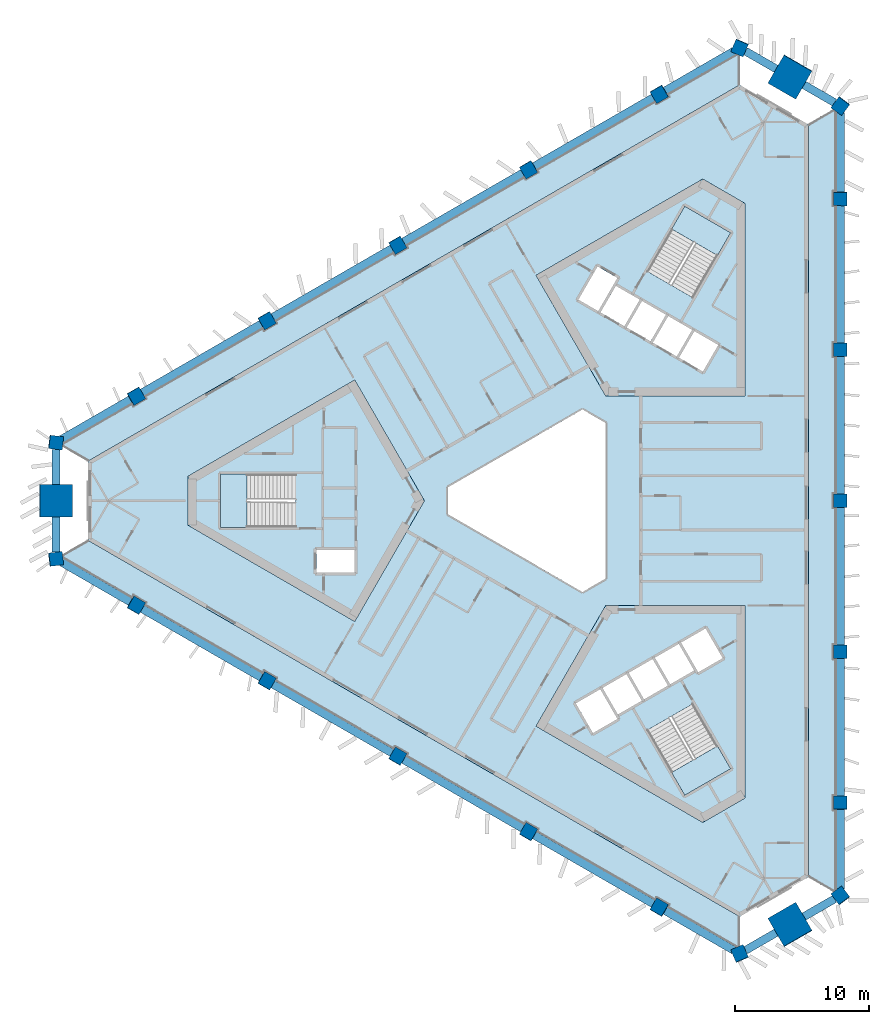
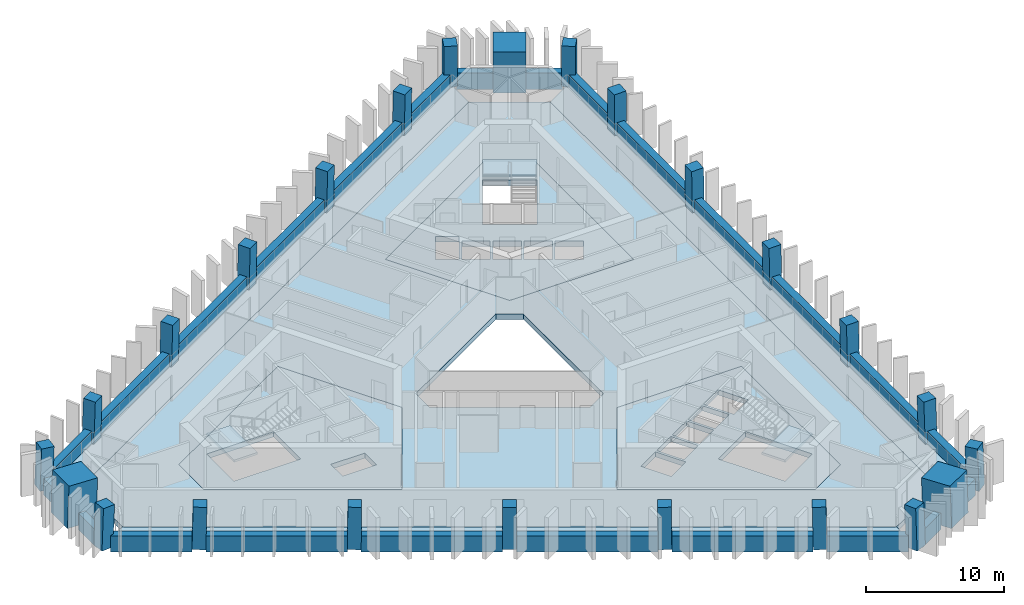
# One storey, part 1 of 11: 24 beams, 24 columns, 10 slabs, 3 elements without a shape of their own.
"""IFC4 building model written with IfcOpenShell, lengths in metres."""

from ifc_helpers import new_model, si_unit, direction, frame, origin, origin_2d, place, context, subcontext, project, spatial, polyline, rectangle, outline, extrude, material, layer, layer_set, material_profile, profile_set, type_object, element, aggregate, save


model = new_model("IFC4")

# Units and contexts
model_context = context("Model", 3, precision=1e-05, world=origin(), true_north=direction((0.0, 1.0)))
body_context = subcontext(model_context, "Body", "Model", "MODEL_VIEW")
ifc_project = project(units=[si_unit("LENGTHUNIT", "METRE"), si_unit("AREAUNIT", "SQUARE_METRE"), si_unit("VOLUMEUNIT", "CUBIC_METRE"), si_unit("PLANEANGLEUNIT", "RADIAN"), si_unit("MASSUNIT", "GRAM", prefix="KILO")], contexts=[model_context])

# Site, building, storey
site_placement = place(None, origin())
site = spatial("IfcSite", under=ifc_project, at=site_placement, CompositionType="ELEMENT")
building_placement = place(site_placement, origin())
building = spatial("IfcBuilding", under=site, at=building_placement, Name="Jabali Bay Hotel Tower and Convention Centre", CompositionType="ELEMENT")
storey_placement = place(building_placement, frame((0.0, 0.0, 132.699951171875)))
storey = spatial("IfcBuildingStorey", under=building, at=storey_placement, Name="L32", CompositionType="ELEMENT", Elevation=132.699951171875)

# Columns
ifc_material_1 = material(Name="Concrete C60", Category="concrete")
ifc_material_profile_1 = material_profile(ifc_material_1, rectangle(XDim=1.0, YDim=1.0, at=origin_2d()), Name="Frame column 1000")
ifc_profile_set_1 = profile_set([ifc_material_profile_1], Name="Concrete C60")
column_type_1 = type_object("IfcColumnType", Name="Frame column 1000", PredefinedType="COLUMN", material=ifc_profile_set_1)
column_1_placement = place(storey_placement, frame((83.48828125, 110.277099609375, 0.0), z_axis=(-0.008376454378, -0.028163354484, 0.999568237028), x_axis=(0.865846453702, 0.49985452246, 0.021339517038)))
element("IfcColumn", 1, at=column_1_placement, inside=storey, type_object=column_type_1, Name="FC3 F1.1 L32", PredefinedType="COLUMN", context=body_context, shape_type="SweptSolid", body=[
    extrude(rectangle(XDim=1.0, YDim=1.0, at=origin_2d()), origin(), (0.0, 0.0, 1.0), 3.70166015625),
])
column_2_placement = place(storey_placement, frame((73.75, 104.65478515625, 0.0), z_axis=(0.000857578916, -0.022824792675, 0.999739112668), x_axis=(0.866054303765, 0.499836094294, 0.010668728649)))
element("IfcColumn", 2, at=column_2_placement, inside=storey, type_object=column_type_1, Name="FC3 F1.2 L32", PredefinedType="COLUMN", context=body_context, shape_type="SweptSolid", body=[
    extrude(rectangle(XDim=1.0, YDim=1.0, at=origin_2d()), origin(), (0.0, 0.0, 1.0), 3.700927734375),
])
column_3_placement = place(storey_placement, frame((64.01171875, 99.0322265625, 0.0), z_axis=(0.010093620709, -0.017482414954, 0.999796221231), x_axis=(0.866020200589, 0.50000901209, 8.5616e-08)))
element("IfcColumn", 3, at=column_3_placement, inside=storey, type_object=column_type_1, Name="FC3 F1.3 L32", PredefinedType="COLUMN", context=body_context, shape_type="SweptSolid", body=[
    extrude(rectangle(XDim=1.0, YDim=1.0, at=origin_2d()), origin(), (0.0, 0.0, 1.0), 3.70068359375),
])
column_4_placement = place(storey_placement, frame((54.2734375, 93.409912109375, 0.0), z_axis=(0.019328516974, -0.012138044789, 0.999739504221), x_axis=(-0.500205614953, 0.865671455024, 0.020181048691)))
element("IfcColumn", 4, at=column_4_placement, inside=storey, type_object=column_type_1, Name="FC3 F1.4 L32", PredefinedType="COLUMN", context=body_context, shape_type="SweptSolid", body=[
    extrude(rectangle(XDim=1.0, YDim=1.0, at=origin_2d()), origin(), (0.0, 0.0, 1.0), 3.700927734375),
])
for number, where, z_axis, x_axis, name in (
    (5, (44.53515625, 87.78759765625, 0.0), (0.028559101991, -0.006859460986, 0.999568569678), (-0.498517062947, 0.866644723382, 0.020190626162), "FC3 F1.5 L32"),
    (6, (44.53515625, 72.21240234375, 0.0), (0.028559101991, 0.006859460986, 0.999568569678), (-0.866409323383, 0.498878613722, 0.021331036701), "FC3 F2.1 L32"),
):
    element("IfcColumn", number, at=place(storey_placement, frame(where, z_axis=z_axis, x_axis=x_axis)), inside=storey, type_object=column_type_1, Name=name, PredefinedType="COLUMN", context=body_context, shape_type="SweptSolid", body=[
        extrude(rectangle(XDim=1.0, YDim=1.0, at=origin_2d()), origin(), (0.0, 0.0, 1.0), 3.70166015625),
    ])
column_5_placement = place(storey_placement, frame((54.2734375, 66.590087890625, 0.0), z_axis=(0.019328516974, 0.012138044789, 0.999739504221), x_axis=(-0.865690909737, 0.500465383244, 0.010660627254)))
element("IfcColumn", 7, at=column_5_placement, inside=storey, type_object=column_type_1, Name="FC3 F2.2 L32", PredefinedType="COLUMN", context=body_context, shape_type="SweptSolid", body=[
    extrude(rectangle(XDim=1.0, YDim=1.0, at=origin_2d()), origin(), (0.0, 0.0, 1.0), 3.700927734375),
])
column_6_placement = place(storey_placement, frame((64.01171875, 60.9677734375, 0.0), z_axis=(0.010093620709, 0.017482414954, 0.999796221231), x_axis=(-0.499907122366, -0.865843723195, 0.020187025824)))
element("IfcColumn", 8, at=column_6_placement, inside=storey, type_object=column_type_1, Name="FC3 F2.3 L32", PredefinedType="COLUMN", context=body_context, shape_type="SweptSolid", body=[
    extrude(rectangle(XDim=1.0, YDim=1.0, at=origin_2d()), origin(), (0.0, 0.0, 1.0), 3.70068359375),
])
column_7_placement = place(storey_placement, frame((73.75, 55.34521484375, 0.0), z_axis=(0.000857578916, 0.022824792675, 0.999739112668), x_axis=(-0.499949204908, -0.865819211891, 0.020196158824)))
element("IfcColumn", 9, at=column_7_placement, inside=storey, type_object=column_type_1, Name="FC3 F2.4 L32", PredefinedType="COLUMN", context=body_context, shape_type="SweptSolid", body=[
    extrude(rectangle(XDim=1.0, YDim=1.0, at=origin_2d()), origin(), (0.0, 0.0, 1.0), 3.700927734375),
])
for number, where, z_axis, x_axis, name in (
    (10, (83.48828125, 49.722900390625, 0.0), (-0.008376454378, 0.028163354484, 0.999568237028), (-0.500239696169, -0.865651362756, 0.020198132002), "FC3 F2.5 L32"),
    (11, (96.9765625, 57.510498046875, 0.0), (-0.020182659751, 0.021303918626, 0.999569308901), (0.000221583953, -0.999772833408, 0.021312730444), "FC3 F0.1 L32"),
):
    element("IfcColumn", number, at=place(storey_placement, frame(where, z_axis=z_axis, x_axis=x_axis)), inside=storey, type_object=column_type_1, Name=name, PredefinedType="COLUMN", context=body_context, shape_type="SweptSolid", body=[
        extrude(rectangle(XDim=1.0, YDim=1.0, at=origin_2d()), origin(), (0.0, 0.0, 1.0), 3.70166015625),
    ])
column_8_placement = place(storey_placement, frame((96.9765625, 68.755126953125, 0.0), z_axis=(-0.020186088539, 0.010686752756, 0.999739123544), x_axis=(-0.001028908277, -0.999942564287, 0.010668152391)))
element("IfcColumn", 12, at=column_8_placement, inside=storey, type_object=column_type_1, Name="FC3 F0.2 L32", PredefinedType="COLUMN", context=body_context, shape_type="SweptSolid", body=[
    extrude(rectangle(XDim=1.0, YDim=1.0, at=origin_2d()), origin(), (0.0, 0.0, 1.0), 3.700927734375),
])
column_9_placement = place(storey_placement, frame((96.9765625, 80.0, 0.0), z_axis=(-0.020187241331, 0.0, 0.99979621688), x_axis=(0.0, -1.0, 0.0)))
element("IfcColumn", 13, at=column_9_placement, inside=storey, type_object=column_type_1, Name="FC3 F0.3 L32", PredefinedType="COLUMN", context=body_context, shape_type="SweptSolid", body=[
    extrude(rectangle(XDim=1.0, YDim=1.0, at=origin_2d()), origin(), (0.0, 0.0, 1.0), 3.70068359375),
])
column_10_placement = place(storey_placement, frame((96.9765625, 91.244873046875, 0.0), z_axis=(-0.020186088539, -0.010686752756, 0.999739123544), x_axis=(0.999795710722, 0.00081329159, 0.020195924825)))
element("IfcColumn", 14, at=column_10_placement, inside=storey, type_object=column_type_1, Name="FC3 F0.4 L32", PredefinedType="COLUMN", context=body_context, shape_type="SweptSolid", body=[
    extrude(rectangle(XDim=1.0, YDim=1.0, at=origin_2d()), origin(), (0.0, 0.0, 1.0), 3.700927734375),
])
column_11_placement = place(storey_placement, frame((96.9765625, 102.489501953125, 0.0), z_axis=(-0.020182659751, -0.021303918626, 0.999569308901), x_axis=(0.999796284823, -0.000651636106, 0.020173354318)))
element("IfcColumn", 15, at=column_11_placement, inside=storey, type_object=column_type_1, Name="FC3 F0.5 L32", PredefinedType="COLUMN", context=body_context, shape_type="SweptSolid", body=[
    extrude(rectangle(XDim=1.0, YDim=1.0, at=origin_2d()), origin(), (0.0, 0.0, 1.0), 3.70166015625),
])
for number, where, z_axis, x_axis, name in (
    (16, (96.9765625, 50.595703125, 0.0), (-0.020178741915, 0.029015184452, 0.999375273581), (-0.801110482425, -0.59851528939, 0.001201380383), "FC3 V0 L32"),
    (17, (96.9765625, 109.404296875, 0.0), (-0.020178741915, -0.029015184452, 0.999375273581), (0.598176239351, 0.800585765198, 0.035321653971), "FC3 V1 L32"),
    (18, (89.4765625, 113.734375, 0.0), (-0.015035141917, -0.031982648376, 0.99937533225), (0.91892005903, -0.394441987372, 0.001201544677), "FC3 V2 L32"),
    (19, (38.546875, 84.330078125, 0.0), (0.03521388716, -0.002967462401, 0.999375393092), (-0.992414795918, 0.117751827475, 0.035318266794), "FC3 V3 L32"),
    (20, (38.546875, 75.669921875, 0.0), (0.03521388716, 0.002967462401, 0.999375393092), (-0.117783084499, 0.993038620242, 0.001201545972), "FC3 V4 L32"),
    (21, (89.4765625, 46.265625, 0.0), (-0.015035141917, 0.031982648376, 0.99937533225), (0.394157163603, -0.9183641047, 0.035319988392), "FC3 V5 L32"),
):
    element("IfcColumn", number, at=place(storey_placement, frame(where, z_axis=z_axis, x_axis=x_axis)), inside=storey, type_object=column_type_1, Name=name, PredefinedType="COLUMN", context=body_context, shape_type="SweptSolid", body=[
        extrude(rectangle(XDim=1.0, YDim=1.0, at=origin_2d()), origin(), (0.0, 0.0, 1.0), 3.7021484375),
    ])
ifc_material_2 = material(Name="Concrete C70", Category="concrete")
ifc_material_profile_2 = material_profile(ifc_material_2, rectangle(XDim=2.39990234375, YDim=2.39990234375, at=origin_2d()), Name="Mega column 2400")
ifc_profile_set_2 = profile_set([ifc_material_profile_2], Name="Concrete C70")
column_type_2 = type_object("IfcColumnType", Name="Mega column 2400", PredefinedType="COLUMN", material=ifc_profile_set_2)
for number, where, z_axis, x_axis, name in (
    (22, (93.2265625, 111.5693359375, 0.0), (-0.017607001884, -0.030531992032, 0.999378702468), (0.866279052578, -0.499560409824, 2.461e-09), "MC3 M1 L32"),
    (23, (38.546875, 80.0, 0.0), (0.035214042205, 0.0, 0.999379793288), (0.0, 1.0, 0.0), "MC3 M0 L32"),
    (24, (93.2265625, 48.4306640625, 0.0), (-0.017607001884, 0.030531992032, 0.999378702468), (0.4992500341, -0.865740835585, 0.035244986208), "MC3 M2 L32"),
):
    element("IfcColumn", number, at=place(storey_placement, frame(where, z_axis=z_axis, x_axis=x_axis)), inside=storey, type_object=column_type_2, Name=name, PredefinedType="COLUMN", context=body_context, shape_type="SweptSolid", body=[
        extrude(rectangle(XDim=2.39990234375, YDim=2.39990234375, at=origin_2d()), origin(), (0.0, 0.0, 1.0), 3.7021484375),
    ])

# Beams
ifc_material_profile_3 = material_profile(ifc_material_1, rectangle(XDim=0.60009765625, YDim=1.449951171875, at=origin_2d()), Name="Spandrel 600x1450")
ifc_profile_set_3 = profile_set([ifc_material_profile_3], Name="Concrete C60")
beam_type = type_object("IfcBeamType", Name="Spandrel 600x1450", PredefinedType="SPANDREL", material=ifc_profile_set_3)
beam_1_placement = place(storey_placement, frame((92.1806640625, 112.157958984375, 0.375), z_axis=(-0.866040225545, 0.499974327079, 0.0), x_axis=(-0.499974327079, -0.866040225545, 0.0)))
element("IfcBeam", 25, at=beam_1_placement, inside=storey, type_object=beam_type, Name="Spandrel M1-V2 L32", PredefinedType="SPANDREL", context=body_context, shape_type="SweptSolid", body=[
    extrude(rectangle(XDim=0.60009765625, YDim=1.449951171875, at=origin_2d()), origin(), (0.0, 0.0, 1.0), 2.629150390625),
])
beam_2_placement = place(storey_placement, frame((89.037841796875, 113.472412109375, 0.375), z_axis=(-0.86602603227, -0.49999891143, 0.0), x_axis=(0.49999891143, -0.86602603227, 0.0)))
element("IfcBeam", 26, at=beam_2_placement, inside=storey, type_object=beam_type, Name="Spandrel V2-F1.1 L32", PredefinedType="SPANDREL", context=body_context, shape_type="SweptSolid", body=[
    extrude(rectangle(XDim=0.60009765625, YDim=1.449951171875, at=origin_2d()), origin(), (0.0, 0.0, 1.0), 5.91162109375),
])
beam_3_placement = place(storey_placement, frame((83.052001953125, 110.0166015625, 0.375), z_axis=(-0.866023606295, -0.50000311333, 0.0), x_axis=(0.50000311333, -0.866023606295, 0.0)))
element("IfcBeam", 27, at=beam_3_placement, inside=storey, type_object=beam_type, Name="Spandrel F1.1-F1.2 L32", PredefinedType="SPANDREL", context=body_context, shape_type="SweptSolid", body=[
    extrude(rectangle(XDim=0.60009765625, YDim=1.449951171875, at=origin_2d()), origin(), (0.0, 0.0, 1.0), 10.24072265625),
])
for number, where, z_axis, x_axis, name in (
    (28, (73.3173828125, 104.396240234375, 0.375), (-0.866019243353, -0.500010670028, 0.0), (0.500010670028, -0.866019243353, 0.0), "Spandrel F1.2-F1.3 L32"),
    (29, (63.58251953125, 98.775634765625, 0.375), (-0.866029566266, -0.499992790302, 0.0), (0.499992790302, -0.866029566266, 0.0), "Spandrel F1.3-F1.4 L32"),
    (30, (53.84765625, 93.1552734375, 0.375), (-0.866029566266, -0.499992790302, 0.0), (0.499992790302, -0.866029566266, 0.0), "Spandrel F1.4-F1.5 L32"),
):
    element("IfcBeam", number, at=place(storey_placement, frame(where, z_axis=z_axis, x_axis=x_axis)), inside=storey, type_object=beam_type, Name=name, PredefinedType="SPANDREL", context=body_context, shape_type="SweptSolid", body=[
        extrude(rectangle(XDim=0.60009765625, YDim=1.449951171875, at=origin_2d()), origin(), (0.0, 0.0, 1.0), 10.240966796875),
    ])
beam_4_placement = place(storey_placement, frame((44.11279296875, 87.534912109375, 0.375), z_axis=(-0.86602603227, -0.49999891143, 0.0), x_axis=(0.49999891143, -0.86602603227, 0.0)))
element("IfcBeam", 31, at=beam_4_placement, inside=storey, type_object=beam_type, Name="Spandrel F1.5-V3 L32", PredefinedType="SPANDREL", context=body_context, shape_type="SweptSolid", body=[
    extrude(rectangle(XDim=0.60009765625, YDim=1.449951171875, at=origin_2d()), origin(), (0.0, 0.0, 1.0), 5.91162109375),
])
for number, where, z_axis, x_axis, name in (
    (32, (38.56005859375, 83.8291015625, 0.375), (0.0, -1.0, 0.0), (1.0, 0.0, 0.0), "Spandrel V3-M0 L32"),
    (33, (38.56005859375, 78.800048828125, 0.375), (0.0, -1.0, 0.0), (1.0, 0.0, 0.0), "Spandrel M0-V4 L32"),
):
    element("IfcBeam", number, at=place(storey_placement, frame(where, z_axis=z_axis, x_axis=x_axis)), inside=storey, type_object=beam_type, Name=name, PredefinedType="SPANDREL", context=body_context, shape_type="SweptSolid", body=[
        extrude(rectangle(XDim=0.60009765625, YDim=1.449951171875, at=origin_2d()), origin(), (0.0, 0.0, 1.0), 2.629150390625),
    ])
beam_5_placement = place(storey_placement, frame((38.9931640625, 75.4208984375, 0.375), z_axis=(0.86602603227, -0.49999891143, 0.0), x_axis=(0.49999891143, 0.86602603227, 0.0)))
element("IfcBeam", 34, at=beam_5_placement, inside=storey, type_object=beam_type, Name="Spandrel V4-F2.1 L32", PredefinedType="SPANDREL", context=body_context, shape_type="SweptSolid", body=[
    extrude(rectangle(XDim=0.60009765625, YDim=1.449951171875, at=origin_2d()), origin(), (0.0, 0.0, 1.0), 5.91162109375),
])
for number, where, z_axis, x_axis, name in (
    (35, (44.978759765625, 71.965087890625, 0.375), (0.866029566266, -0.499992790302, 0.0), (0.499992790302, 0.866029566266, 0.0), "Spandrel F2.1-F2.2 L32"),
    (36, (54.713623046875, 66.3447265625, 0.375), (0.866029566266, -0.499992790302, 0.0), (0.499992790302, 0.866029566266, 0.0), "Spandrel F2.2-F2.3 L32"),
    (37, (64.448486328125, 60.724365234375, 0.375), (0.866019243353, -0.500010670028, 0.0), (0.500010670028, 0.866019243353, 0.0), "Spandrel F2.3-F2.4 L32"),
):
    element("IfcBeam", number, at=place(storey_placement, frame(where, z_axis=z_axis, x_axis=x_axis)), inside=storey, type_object=beam_type, Name=name, PredefinedType="SPANDREL", context=body_context, shape_type="SweptSolid", body=[
        extrude(rectangle(XDim=0.60009765625, YDim=1.449951171875, at=origin_2d()), origin(), (0.0, 0.0, 1.0), 10.240966796875),
    ])
beam_6_placement = place(storey_placement, frame((74.183349609375, 55.103759765625, 0.375), z_axis=(0.866023606295, -0.50000311333, 0.0), x_axis=(0.50000311333, 0.866023606295, 0.0)))
element("IfcBeam", 38, at=beam_6_placement, inside=storey, type_object=beam_type, Name="Spandrel F2.4-F2.5 L32", PredefinedType="SPANDREL", context=body_context, shape_type="SweptSolid", body=[
    extrude(rectangle(XDim=0.60009765625, YDim=1.449951171875, at=origin_2d()), origin(), (0.0, 0.0, 1.0), 10.24072265625),
])
beam_7_placement = place(storey_placement, frame((83.918212890625, 49.4833984375, 0.375), z_axis=(0.86602603227, -0.49999891143, 0.0), x_axis=(0.49999891143, 0.86602603227, 0.0)))
element("IfcBeam", 39, at=beam_7_placement, inside=storey, type_object=beam_type, Name="Spandrel F2.5-V5 L32", PredefinedType="SPANDREL", context=body_context, shape_type="SweptSolid", body=[
    extrude(rectangle(XDim=0.60009765625, YDim=1.449951171875, at=origin_2d()), origin(), (0.0, 0.0, 1.0), 5.91162109375),
])
for number, where, z_axis, x_axis, name in (
    (40, (89.90380859375, 46.527587890625, 0.375), (0.866040225545, 0.499974327079, 0.0), (-0.499974327079, 0.866040225545, 0.0), "Spandrel V5-M2 L32"),
    (41, (94.25927734375, 49.042236328125, 0.375), (0.866040225545, 0.499974327079, 0.0), (-0.499974327079, 0.866040225545, 0.0), "Spandrel M2-V0 L32"),
):
    element("IfcBeam", number, at=place(storey_placement, frame(where, z_axis=z_axis, x_axis=x_axis)), inside=storey, type_object=beam_type, Name=name, PredefinedType="SPANDREL", context=body_context, shape_type="SweptSolid", body=[
        extrude(rectangle(XDim=0.60009765625, YDim=1.449951171875, at=origin_2d()), origin(), (0.0, 0.0, 1.0), 2.629150390625),
    ])
beam_8_placement = place(storey_placement, frame((96.968994140625, 51.106689453125, 0.375), z_axis=(0.0, 1.0, 0.0), x_axis=(-1.0, 0.0, 0.0)))
element("IfcBeam", 42, at=beam_8_placement, inside=storey, type_object=beam_type, Name="Spandrel V0-F0.1 L32", PredefinedType="SPANDREL", context=body_context, shape_type="SweptSolid", body=[
    extrude(rectangle(XDim=0.60009765625, YDim=1.449951171875, at=origin_2d()), origin(), (0.0, 0.0, 1.0), 5.91162109375),
])
beam_9_placement = place(storey_placement, frame((96.968994140625, 58.018310546875, 0.375), z_axis=(0.0, 1.0, 0.0), x_axis=(-1.0, 0.0, 0.0)))
element("IfcBeam", 43, at=beam_9_placement, inside=storey, type_object=beam_type, Name="Spandrel F0.1-F0.2 L32", PredefinedType="SPANDREL", context=body_context, shape_type="SweptSolid", body=[
    extrude(rectangle(XDim=0.60009765625, YDim=1.449951171875, at=origin_2d()), origin(), (0.0, 0.0, 1.0), 10.240966796875),
])
for number, where, z_axis, x_axis, name in (
    (44, (96.968994140625, 69.25927734375, 0.375), (0.0, 1.0, 0.0), (-1.0, 0.0, 0.0), "Spandrel F0.2-F0.3 L32"),
    (45, (96.968994140625, 80.5, 0.375), (0.0, 1.0, 0.0), (-1.0, 0.0, 0.0), "Spandrel F0.3-F0.4 L32"),
):
    element("IfcBeam", number, at=place(storey_placement, frame(where, z_axis=z_axis, x_axis=x_axis)), inside=storey, type_object=beam_type, Name=name, PredefinedType="SPANDREL", context=body_context, shape_type="SweptSolid", body=[
        extrude(rectangle(XDim=0.60009765625, YDim=1.449951171875, at=origin_2d()), origin(), (0.0, 0.0, 1.0), 10.24072265625),
    ])
beam_10_placement = place(storey_placement, frame((96.968994140625, 91.74072265625, 0.375), z_axis=(0.0, 1.0, 0.0), x_axis=(-1.0, 0.0, 0.0)))
element("IfcBeam", 46, at=beam_10_placement, inside=storey, type_object=beam_type, Name="Spandrel F0.4-F0.5 L32", PredefinedType="SPANDREL", context=body_context, shape_type="SweptSolid", body=[
    extrude(rectangle(XDim=0.60009765625, YDim=1.449951171875, at=origin_2d()), origin(), (0.0, 0.0, 1.0), 10.240966796875),
])
beam_11_placement = place(storey_placement, frame((96.968994140625, 102.981689453125, 0.375), z_axis=(0.0, 1.0, 0.0), x_axis=(-1.0, 0.0, 0.0)))
element("IfcBeam", 47, at=beam_11_placement, inside=storey, type_object=beam_type, Name="Spandrel F0.5-V1 L32", PredefinedType="SPANDREL", context=body_context, shape_type="SweptSolid", body=[
    extrude(rectangle(XDim=0.60009765625, YDim=1.449951171875, at=origin_2d()), origin(), (0.0, 0.0, 1.0), 5.91162109375),
])
beam_12_placement = place(storey_placement, frame((96.5361328125, 109.643310546875, 0.375), z_axis=(-0.866040225545, 0.499974327079, 0.0), x_axis=(-0.499974327079, -0.866040225545, 0.0)))
element("IfcBeam", 48, at=beam_12_placement, inside=storey, type_object=beam_type, Name="Spandrel V1-M1 L32", PredefinedType="SPANDREL", context=body_context, shape_type="SweptSolid", body=[
    extrude(rectangle(XDim=0.60009765625, YDim=1.449951171875, at=origin_2d()), origin(), (0.0, 0.0, 1.0), 2.629150390625),
])

# Slabs
ifc_material_3 = material(Name="Concrete C40", Category="concrete")
ifc_layer_1 = layer(ifc_material_3, 0.449951171875)
ifc_layer_set_1 = layer_set([ifc_layer_1], Name="Concrete C40")
slab_type_1 = type_object("IfcSlabType", Name="Core floor slab 450", PredefinedType="FLOOR", material=ifc_layer_set_1)
slab_1_placement = place(storey_placement, frame((0.0, 0.0, -0.449951171875)))
element("IfcSlab", 49, at=slab_1_placement, inside=storey, type_object=slab_type_1, Name="Core floor slab 1 L32", PredefinedType="FLOOR", context=body_context, shape_type="SweptSolid", body=[
    extrude(outline(polyline([(66.0, 80.0), (60.81005859375, 88.9892578125), (48.39697265625, 81.82275390625), (48.39697265625, 78.17724609375), (60.81005859375, 71.0107421875), (66.0, 80.0)]), holes=[polyline([(60.800048828125, 76.35009765625), (57.949951171875, 76.35009765625), (57.949951171875, 74.64990234375), (60.800048828125, 74.64990234375), (60.800048828125, 76.35009765625)]), polyline([(50.820068359375, 81.97509765625), (50.820068359375, 78.02490234375), (56.409912109375, 78.02490234375), (56.409912109375, 81.97509765625), (50.820068359375, 81.97509765625)])]), origin(), (0.0, 0.0, 1.0), 0.449951171875),
])
slab_2_placement = place(storey_placement, frame((0.0, 0.0, -0.449951171875)))
element("IfcSlab", 50, at=slab_2_placement, inside=storey, type_object=slab_type_1, Name="Core floor slab 2 L32", PredefinedType="FLOOR", context=body_context, shape_type="SweptSolid", body=[
    extrude(outline(polyline([(79.5, 87.794189453125), (89.8798828125, 87.794189453125), (89.8798828125, 102.127685546875), (86.72314453125, 103.9501953125), (74.31005859375, 96.78369140625), (79.5, 87.794189453125)]), holes=[polyline([(84.957763671875, 90.6474609375), (86.733154296875, 89.62255859375), (87.873291015625, 91.59716796875), (86.097900390625, 92.6220703125), (84.957763671875, 90.6474609375)]), polyline([(84.1494140625, 93.7470703125), (83.00927734375, 91.7724609375), (84.78466796875, 90.74755859375), (85.924560546875, 92.72216796875), (84.1494140625, 93.7470703125)]), polyline([(82.20068359375, 94.8720703125), (81.060791015625, 92.8974609375), (82.836181640625, 91.87255859375), (83.97607421875, 93.84716796875), (82.20068359375, 94.8720703125)]), polyline([(79.1123046875, 94.0224609375), (80.887451171875, 92.99755859375), (82.027587890625, 94.97216796875), (80.252197265625, 95.9970703125), (79.1123046875, 94.0224609375)]), polyline([(78.891845703125, 97.440673828125), (77.466796875, 94.97265625), (78.93896484375, 94.12255859375), (80.364013671875, 96.5908203125), (78.891845703125, 97.440673828125)]), polyline([(82.584716796875, 97.0869140625), (86.00537109375, 95.11181640625), (88.80029296875, 99.952880859375), (85.379638671875, 101.927978515625), (82.584716796875, 97.0869140625)])]), origin(), (0.0, 0.0, 1.0), 0.449951171875),
])
slab_3_placement = place(storey_placement, frame((0.0, 0.0, -0.449951171875)))
element("IfcSlab", 51, at=slab_3_placement, inside=storey, type_object=slab_type_1, Name="Core floor slab 3 L32", PredefinedType="FLOOR", context=body_context, shape_type="SweptSolid", body=[
    extrude(outline(polyline([(79.5, 72.205810546875), (74.31005859375, 63.21630859375), (86.72314453125, 56.0498046875), (89.8798828125, 57.872314453125), (89.8798828125, 72.205810546875), (79.5, 72.205810546875)]), holes=[polyline([(82.584716796875, 62.9130859375), (85.379638671875, 58.072021484375), (88.80029296875, 60.047119140625), (86.00537109375, 64.88818359375), (82.584716796875, 62.9130859375)]), polyline([(80.365478515625, 63.756591796875), (79.090576171875, 65.96484375), (77.27197265625, 64.9150390625), (78.546875, 62.70654296875), (80.365478515625, 63.756591796875)]), polyline([(82.17919921875, 65.115478515625), (81.0390625, 67.08984375), (79.263671875, 66.06494140625), (80.40380859375, 64.09033203125), (82.17919921875, 65.115478515625)]), polyline([(82.98779296875, 68.21484375), (81.21240234375, 67.18994140625), (82.352294921875, 65.21533203125), (84.127685546875, 66.240478515625), (82.98779296875, 68.21484375)]), polyline([(86.076171875, 67.365478515625), (84.936279296875, 69.33984375), (83.160888671875, 68.31494140625), (84.30078125, 66.34033203125), (86.076171875, 67.365478515625)]), polyline([(88.203125, 68.281494140625), (86.927978515625, 70.489990234375), (85.109375, 69.43994140625), (86.384521484375, 67.231689453125), (88.203125, 68.281494140625)])]), origin(), (0.0, 0.0, 1.0), 0.449951171875),
])
ifc_layer_2 = layer(ifc_material_3, 0.199951171875)
ifc_layer_set_2 = layer_set([ifc_layer_2], Name="Concrete C40")
slab_type_2 = type_object("IfcSlabType", Name="Loggia slab 200", PredefinedType="FLOOR", material=ifc_layer_set_2)
slab_4_placement = place(storey_placement, frame((0.0, 0.0, -0.199951171875)))
element("IfcSlab", 52, at=slab_4_placement, inside=storey, type_object=slab_type_2, Name="Loggia slab east face L32", PredefinedType="FLOOR", context=body_context, shape_type="SweptSolid", body=[
    extrude(outline(polyline([(94.57666015625, 108.0185546875), (96.50537109375, 109.132080078125), (96.676513671875, 109.004150390625), (96.676513671875, 102.989501953125), (96.4765625, 102.989501953125), (96.4765625, 101.989501953125), (96.676513671875, 101.989501953125), (96.676513671875, 91.744873046875), (96.4765625, 91.744873046875), (96.4765625, 90.744873046875), (96.676513671875, 90.744873046875), (96.676513671875, 80.5), (96.4765625, 80.5), (96.4765625, 79.5), (96.676513671875, 79.5), (96.676513671875, 69.255126953125), (96.4765625, 69.255126953125), (96.4765625, 68.255126953125), (96.676513671875, 68.255126953125), (96.676513671875, 58.010498046875), (96.4765625, 58.010498046875), (96.4765625, 57.010498046875), (96.676513671875, 57.010498046875), (96.676513671875, 50.995849609375), (96.50537109375, 50.867919921875), (94.57666015625, 51.9814453125), (94.57666015625, 108.0185546875)])), origin(), (0.0, 0.0, 1.0), 0.199951171875),
])
slab_5_placement = place(storey_placement, frame((0.0, 0.0, -0.199951171875)))
element("IfcSlab", 53, at=slab_5_placement, inside=storey, type_object=slab_type_2, Name="Loggia slab north-west face L32", PredefinedType="FLOOR", context=body_context, shape_type="SweptSolid", body=[
    extrude(outline(polyline([(40.947021484375, 82.944580078125), (39.01806640625, 84.05810546875), (39.04345703125, 84.2705078125), (44.252197265625, 87.277587890625), (44.35205078125, 87.1044921875), (45.21826171875, 87.6044921875), (45.1181640625, 87.777587890625), (53.990478515625, 92.900146484375), (54.09033203125, 92.726806640625), (54.95654296875, 93.226806640625), (54.8564453125, 93.400146484375), (63.728759765625, 98.5224609375), (63.82861328125, 98.349365234375), (64.69482421875, 98.849365234375), (64.5947265625, 99.0224609375), (73.467041015625, 104.144775390625), (73.56689453125, 103.9716796875), (74.43310546875, 104.4716796875), (74.3330078125, 104.644775390625), (83.205322265625, 109.767333984375), (83.30517578125, 109.593994140625), (84.17138671875, 110.093994140625), (84.0712890625, 110.267333984375), (89.280029296875, 113.274658203125), (89.4765625, 113.190185546875), (89.4765625, 110.963134765625), (40.947021484375, 82.944580078125)])), origin(), (0.0, 0.0, 1.0), 0.199951171875),
])
slab_6_placement = place(storey_placement, frame((0.0, 0.0, -0.199951171875)))
element("IfcSlab", 54, at=slab_6_placement, inside=storey, type_object=slab_type_2, Name="Loggia slab south-west face L32", PredefinedType="FLOOR", context=body_context, shape_type="SweptSolid", body=[
    extrude(outline(polyline([(89.4765625, 49.036865234375), (89.4765625, 46.809814453125), (89.280029296875, 46.725341796875), (84.0712890625, 49.732666015625), (84.17138671875, 49.906005859375), (83.30517578125, 50.406005859375), (83.205322265625, 50.232666015625), (74.3330078125, 55.355224609375), (74.43310546875, 55.5283203125), (73.56689453125, 56.0283203125), (73.467041015625, 55.855224609375), (64.5947265625, 60.9775390625), (64.69482421875, 61.150634765625), (63.82861328125, 61.650634765625), (63.728759765625, 61.4775390625), (54.8564453125, 66.599853515625), (54.95654296875, 66.773193359375), (54.09033203125, 67.273193359375), (53.990478515625, 67.099853515625), (45.1181640625, 72.222412109375), (45.21826171875, 72.3955078125), (44.35205078125, 72.8955078125), (44.252197265625, 72.722412109375), (39.04345703125, 75.7294921875), (39.01806640625, 75.94189453125), (40.947021484375, 77.055419921875), (89.4765625, 49.036865234375)])), origin(), (0.0, 0.0, 1.0), 0.199951171875),
])
ifc_layer_3 = layer(ifc_material_3, 0.449951171875)
ifc_layer_set_3 = layer_set([ifc_layer_3], Name="Concrete C40")
slab_type_3 = type_object("IfcSlabType", Name="Post-tensioned flat slab 450", PredefinedType="FLOOR", material=ifc_layer_set_3)
slab_7_placement = place(storey_placement, frame((0.0, 0.0, -0.449951171875)))
element("IfcSlab", 55, at=slab_7_placement, inside=storey, type_object=slab_type_3, Name="Floor slab L32", PredefinedType="FLOOR", context=body_context, shape_type="SweptSolid", body=[
    extrude(outline(polyline([(89.4765625, 110.963134765625), (94.57666015625, 108.0185546875), (94.57666015625, 51.9814453125), (89.4765625, 49.036865234375), (40.947021484375, 77.055419921875), (40.947021484375, 82.944580078125), (89.4765625, 110.963134765625)]), holes=[polyline([(67.73193359375, 79.0), (77.76806640625, 73.205810546875), (79.5, 74.205810546875), (79.5, 85.794189453125), (77.76806640625, 86.794189453125), (67.73193359375, 81.0), (67.73193359375, 79.0)]), polyline([(48.39697265625, 78.17724609375), (60.81005859375, 71.0107421875), (66.0, 80.0), (60.81005859375, 88.9892578125), (48.39697265625, 81.82275390625), (48.39697265625, 78.17724609375)]), polyline([(89.8798828125, 102.127685546875), (86.72314453125, 103.9501953125), (74.31005859375, 96.78369140625), (79.5, 87.794189453125), (89.8798828125, 87.794189453125), (89.8798828125, 102.127685546875)]), polyline([(74.31005859375, 63.21630859375), (86.72314453125, 56.0498046875), (89.8798828125, 57.872314453125), (89.8798828125, 72.205810546875), (79.5, 72.205810546875), (74.31005859375, 63.21630859375)])]), origin(), (0.0, 0.0, 1.0), 0.449951171875),
])

# Stair, slab
stair_type = type_object("IfcStairType", Name="Exit stair 1900", PredefinedType="HALF_TURN_STAIR", material=ifc_material_3)
stair_1_placement = place(storey_placement, origin())
stair_1 = element("IfcStair", 56, at=stair_1_placement, inside=storey, type_object=stair_type, Name="L32 Exit Stair 1", PredefinedType="HALF_TURN_STAIR")
ifc_layer_4 = layer(ifc_material_3, 0.199951171875)
ifc_layer_set_4 = layer_set([ifc_layer_4], Name="Concrete C40")
slab_type_4 = type_object("IfcSlabType", Name="Stair landing 200", PredefinedType="LANDING", material=ifc_layer_set_4)
slab_8_placement = place(storey_placement, frame((0.0, 0.0, 1.650146484375)))
slab_8 = element("IfcSlab", 57, at=slab_8_placement, type_object=slab_type_4, Name="ST1 landing 1", PredefinedType="LANDING", context=body_context, shape_type="SweptSolid", body=[
    extrude(outline(polyline([(52.782958984375, 81.97509765625), (50.820068359375, 81.97509765625), (50.820068359375, 78.02490234375), (52.782958984375, 78.02490234375), (52.782958984375, 81.97509765625)])), origin(), (0.0, 0.0, 1.0), 0.199951171875),
])
aggregate(stair_1, [slab_8])

stair_2_placement = place(storey_placement, origin())
stair_2 = element("IfcStair", 58, at=stair_2_placement, inside=storey, type_object=stair_type, Name="L32 Exit Stair 2", PredefinedType="HALF_TURN_STAIR")
slab_9_placement = place(storey_placement, frame((0.0, 0.0, 1.650146484375)))
slab_9 = element("IfcSlab", 59, at=slab_9_placement, type_object=slab_type_4, Name="ST2 landing 1", PredefinedType="LANDING", context=body_context, shape_type="SweptSolid", body=[
    extrude(outline(polyline([(87.81884765625, 98.2529296875), (88.80029296875, 99.952880859375), (85.379638671875, 101.927978515625), (84.398193359375, 100.22802734375), (87.81884765625, 98.2529296875)])), origin(), (0.0, 0.0, 1.0), 0.199951171875),
])
aggregate(stair_2, [slab_9])

stair_3_placement = place(storey_placement, origin())
stair_3 = element("IfcStair", 60, at=stair_3_placement, inside=storey, type_object=stair_type, Name="L32 Exit Stair 3", PredefinedType="HALF_TURN_STAIR")
slab_10_placement = place(storey_placement, frame((0.0, 0.0, 1.650146484375)))
slab_10 = element("IfcSlab", 61, at=slab_10_placement, type_object=slab_type_4, Name="ST3 landing 1", PredefinedType="LANDING", context=body_context, shape_type="SweptSolid", body=[
    extrude(outline(polyline([(84.398193359375, 59.77197265625), (85.379638671875, 58.072021484375), (88.80029296875, 60.047119140625), (87.81884765625, 61.7470703125), (84.398193359375, 59.77197265625)])), origin(), (0.0, 0.0, 1.0), 0.199951171875),
])
aggregate(stair_3, [slab_10])

save(model, "model.ifc")
